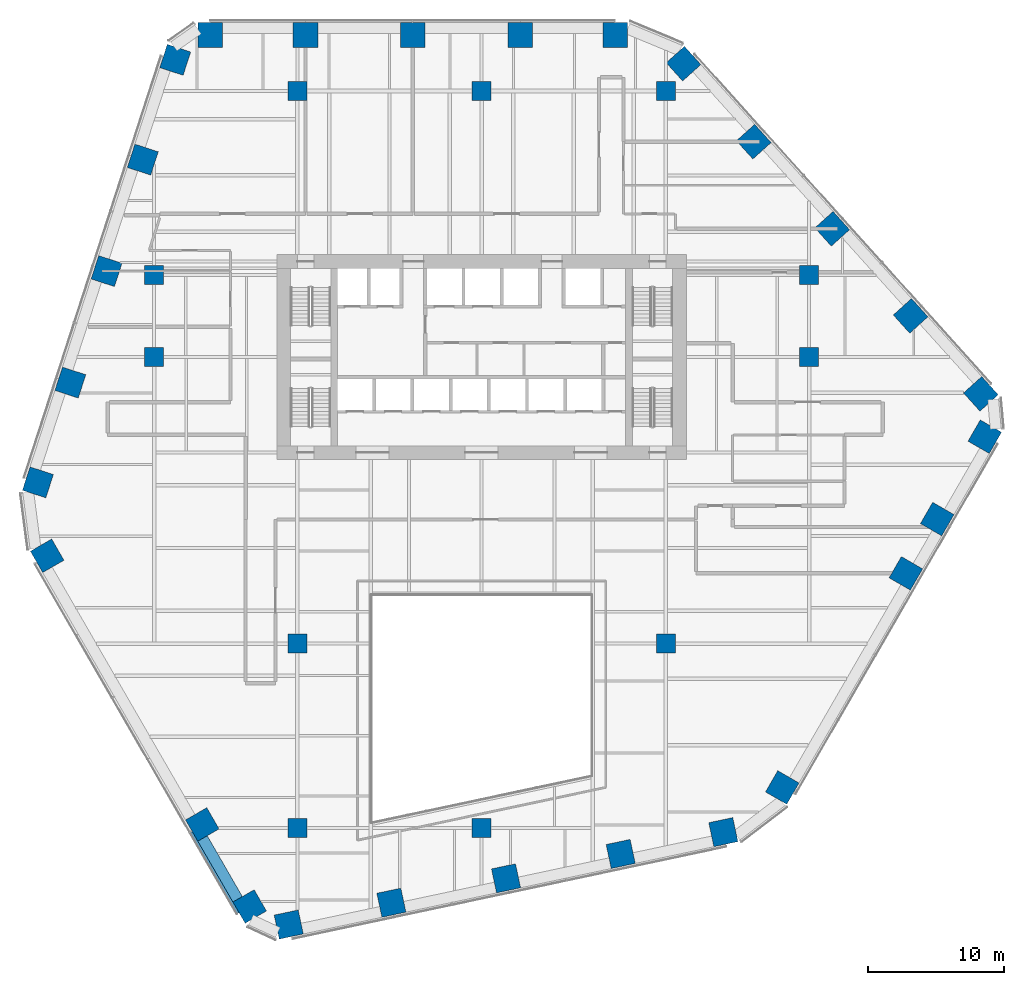
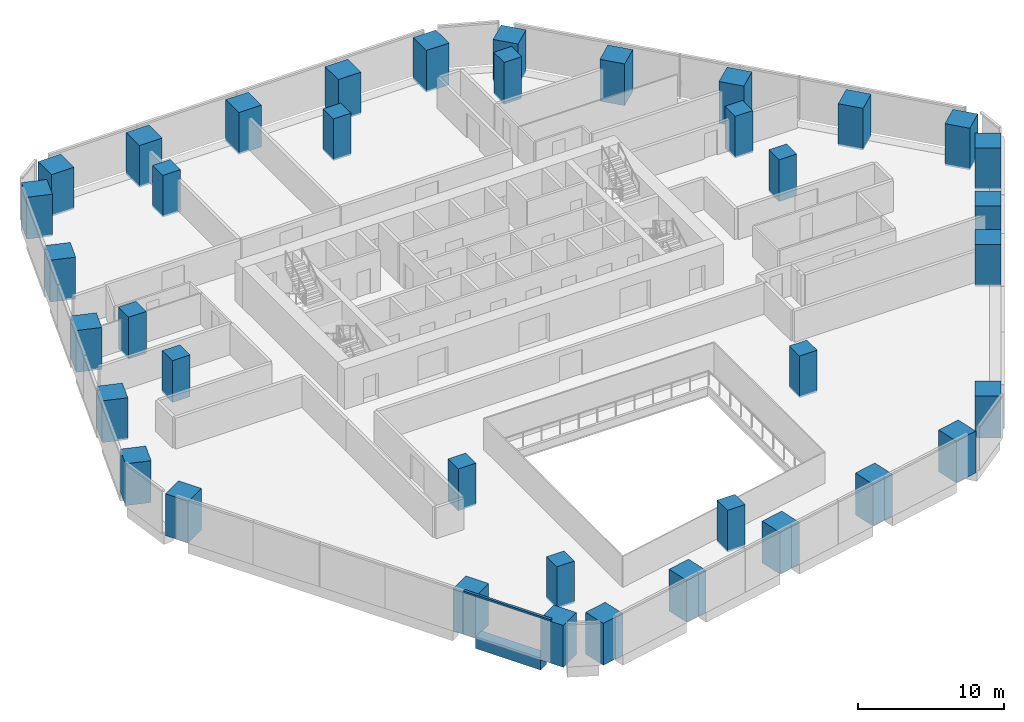
# One storey, part 1 of 20: 38 columns, 1 beam, 1 member, 1 element without a shape of its own.
"""IFC4 building model written with IfcOpenShell, lengths in metres."""

from ifc_helpers import new_model, si_unit, direction, frame, origin, origin_2d, place, context, subcontext, project, spatial, rectangle, extrude, material, layer, layer_set, material_profile, profile_set, type_object, element, aggregate, save


model = new_model("IFC4")

# Units and contexts
model_context = context("Model", 3, precision=1e-05, world=origin(), true_north=direction((0.0, 1.0)))
body_context = subcontext(model_context, "Body", "Model", "MODEL_VIEW")
ifc_project = project(units=[si_unit("LENGTHUNIT", "METRE"), si_unit("AREAUNIT", "SQUARE_METRE"), si_unit("VOLUMEUNIT", "CUBIC_METRE"), si_unit("PLANEANGLEUNIT", "RADIAN"), si_unit("MASSUNIT", "GRAM", prefix="KILO")], contexts=[model_context])

# Site, building, storey
site_placement = place(None, origin())
site = spatial("IfcSite", under=ifc_project, at=site_placement, CompositionType="ELEMENT")
building_placement = place(site_placement, origin())
building = spatial("IfcBuilding", under=site, at=building_placement, Name="Isthmus Gate Tower", CompositionType="ELEMENT")
storey_placement = place(building_placement, frame((0.0, 0.0, 72.5)))
storey = spatial("IfcBuildingStorey", under=building, at=storey_placement, Name="L16", CompositionType="ELEMENT", Elevation=72.5)

# Columns
ifc_material_1 = material(Name="Concrete f'c 70 MPa", Category="concrete")
ifc_material_profile_1 = material_profile(ifc_material_1, rectangle(XDim=1.39990234375, YDim=1.39990234375, at=origin_2d()), Name="RC 1400X1400")
ifc_profile_set_1 = profile_set([ifc_material_profile_1], Name="Concrete f'c 70 MPa")
column_type_1 = type_object("IfcColumnType", Name="RC INTERIOR COLUMN 1400 X 1400", PredefinedType="COLUMN", material=ifc_profile_set_1)
for number, where, z_axis, x_axis, name in (
    (1, (-24.0, 7.5, -0.14990234375), (0.0, 0.0, 1.0), (1.0, 0.0, 0.0), "str-icol-L16-ICA3"),
    (2, (-24.0, 13.5, -0.14990234375), (0.0, 0.0, 1.0), (1.0, 0.0, 0.0), "str-icol-L16-ICA4"),
    (3, (-13.5, -27.0, -0.14990234375), (0.0, 0.0, 1.0), (1.0, 0.0, 0.0), "str-icol-L16-ICB1"),
    (4, (-13.5, -13.5, -0.14990234375), (0.0, 0.0, 1.0), (1.0, 0.0, 0.0), "str-icol-L16-ICB2"),
    (5, (-13.5, 27.0, -0.14990234375), (0.0, 0.0, 1.0), (1.0, 0.0, 0.0), "str-icol-L16-ICB5"),
    (6, (0.0, -27.0, -0.14990234375), (0.0, 0.0, 1.0), (1.0, 0.0, 0.0), "str-icol-L16-ICC1"),
    (7, (0.0, 27.0, -0.14990234375), (0.0, 0.0, 1.0), (1.0, 0.0, 0.0), "str-icol-L16-ICC5"),
    (8, (13.5, -13.5, -0.14990234375), (0.0, 0.0, 1.0), (1.0, 0.0, 0.0), "str-icol-L16-ICD2"),
    (9, (13.5, 27.0, -0.14990234375), (0.0, 0.0, 1.0), (1.0, 0.0, 0.0), "str-icol-L16-ICD5"),
    (10, (24.0, 7.5, -0.14990234375), (0.0, 0.0, 1.0), (1.0, 0.0, 0.0), "str-icol-L16-ICE3"),
    (11, (24.0, 13.5, -0.14990234375), (0.0, 0.0, 1.0), (1.0, 0.0, 0.0), "str-icol-L16-ICE4"),
):
    element("IfcColumn", number, at=place(storey_placement, frame(where, z_axis=z_axis, x_axis=x_axis)), inside=storey, type_object=column_type_1, Name=name, PredefinedType="COLUMN", context=body_context, shape_type="SweptSolid", body=[
        extrude(rectangle(XDim=1.39990234375, YDim=1.39990234375, at=origin_2d()), origin(), (0.0, 0.0, 1.0), 3.5),
    ])
ifc_material_2 = material(Name="Concrete f'c 70 MPa", Category="concrete")
ifc_material_profile_2 = material_profile(ifc_material_2, rectangle(XDim=1.800048828125, YDim=1.800048828125, at=origin_2d()), Name="RC 1800X1800")
ifc_profile_set_2 = profile_set([ifc_material_profile_2], Name="Concrete f'c 70 MPa")
column_type_2 = type_object("IfcColumnType", Name="RC TUBE COLUMN 1800 X 1800", PredefinedType="COLUMN", material=ifc_profile_set_2)
for number, where, z_axis, x_axis, name in (
    (12, (9.8017578125, 31.10009765625, -0.14990234375), (0.0, 0.0, 1.0), (-1.0, 0.0, 0.0), "str-tcol-L16-T1N0"),
    (13, (2.832275390625, 31.10009765625, -0.14990234375), (0.0, 0.0, 1.0), (-1.0, 0.0, 0.0), "str-tcol-L16-T1N1"),
    (14, (-5.037109375, 31.10009765625, -0.14990234375), (0.0, 0.0, 1.0), (-1.0, 0.0, 0.0), "str-tcol-L16-T1N2"),
    (15, (-12.90673828125, 31.10009765625, -0.14990234375), (0.0, 0.0, 1.0), (-1.0, 0.0, 0.0), "str-tcol-L16-T1N3"),
    (16, (-19.876220703125, 31.10009765625, -0.14990234375), (0.0, 0.0, 1.0), (-1.0, 0.0, 0.0), "str-tcol-L16-T1N4"),
    (17, (-22.451171875, 29.281005859375, -0.14990234375), (0.0, 0.0, 1.0), (-0.309016994375, -0.951056516295, 0.0), "str-tcol-L16-T1NW0"),
    (18, (-24.827392578125, 21.9677734375, -0.14990234375), (0.0, 0.0, 1.0), (-0.309016994375, -0.951056516295, 0.0), "str-tcol-L16-T1NW1"),
    (19, (-27.481689453125, 13.798828125, -0.14990234375), (0.0, 0.0, 1.0), (-0.309016994375, -0.951056516295, 0.0), "str-tcol-L16-T1NW2"),
    (20, (-30.135986328125, 5.6298828125, -0.14990234375), (0.0, 0.0, 1.0), (-0.309016994375, -0.951056516295, 0.0), "str-tcol-L16-T1NW3"),
    (21, (-32.511962890625, -1.68310546875, -0.14990234375), (0.0, 0.0, 1.0), (-0.309016994375, -0.951056516295, 0.0), "str-tcol-L16-T1NW4"),
    (22, (-31.834228515625, -7.061279296875, -0.14990234375), (0.0, 0.0, 1.0), (0.5, -0.866025403784, 0.0), "str-tcol-L16-T1SW0"),
    (23, (-20.467041015625, -26.75, -0.14990234375), (0.0, 0.0, 1.0), (0.5, -0.866025403784, 0.0), "str-tcol-L16-T1SW2"),
    (24, (-16.995361328125, -32.763427734375, -0.14990234375), (0.0, 0.0, 1.0), (0.5, -0.866025403784, 0.0), "str-tcol-L16-T1SW3"),
    (25, (-14.13232421875, -34.083740234375, -0.14990234375), (0.0, 0.0, 1.0), (0.978147600734, 0.207911690818, 0.0), "str-tcol-L16-T1S0"),
    (26, (-6.611083984375, -32.485107421875, -0.14990234375), (0.0, 0.0, 1.0), (0.978147600734, 0.207911690818, 0.0), "str-tcol-L16-T1S1"),
    (27, (1.79052734375, -30.69921875, -0.14990234375), (0.0, 0.0, 1.0), (0.978147600734, 0.207911690818, 0.0), "str-tcol-L16-T1S2"),
    (28, (10.192138671875, -28.91357421875, -0.14990234375), (0.0, 0.0, 1.0), (0.978147600734, 0.207911690818, 0.0), "str-tcol-L16-T1S3"),
    (29, (17.713623046875, -27.314697265625, -0.14990234375), (0.0, 0.0, 1.0), (0.978147600734, 0.207911690818, 0.0), "str-tcol-L16-T1S4"),
    (30, (22.032470703125, -24.03857421875, -0.14990234375), (0.0, 0.0, 1.0), (0.5, 0.866025403784, 0.0), "str-tcol-L16-T1SE0"),
    (31, (31.09033203125, -8.35009765625, -0.14990234375), (0.0, 0.0, 1.0), (0.5, 0.866025403784, 0.0), "str-tcol-L16-T1SE1"),
    (32, (33.38671875, -4.37255859375, -0.14990234375), (0.0, 0.0, 1.0), (0.5, 0.866025403784, 0.0), "str-tcol-L16-T1SE2"),
    (33, (36.87158203125, 1.663330078125, -0.14990234375), (0.0, 0.0, 1.0), (0.5, 0.866025403784, 0.0), "str-tcol-L16-T1SE3"),
    (34, (36.583740234375, 4.802978515625, -0.14990234375), (0.0, 0.0, 1.0), (-0.669130606359, 0.743144825477, 0.0), "str-tcol-L16-T1NE0"),
    (35, (31.4384765625, 10.517333984375, -0.14990234375), (0.0, 0.0, 1.0), (-0.669130606359, 0.743144825477, 0.0), "str-tcol-L16-T1NE1"),
    (36, (25.691162109375, 16.900390625, -0.14990234375), (0.0, 0.0, 1.0), (-0.669130606359, 0.743144825477, 0.0), "str-tcol-L16-T1NE2"),
    (37, (19.943603515625, 23.283447265625, -0.14990234375), (0.0, 0.0, 1.0), (-0.669130606359, 0.743144825477, 0.0), "str-tcol-L16-T1NE3"),
    (38, (14.798583984375, 28.997802734375, -0.14990234375), (0.0, 0.0, 1.0), (-0.669130606359, 0.743144825477, 0.0), "str-tcol-L16-T1NE4"),
):
    element("IfcColumn", number, at=place(storey_placement, frame(where, z_axis=z_axis, x_axis=x_axis)), inside=storey, type_object=column_type_2, Name=name, PredefinedType="COLUMN", context=body_context, shape_type="SweptSolid", body=[
        extrude(rectangle(XDim=1.800048828125, YDim=1.800048828125, at=origin_2d()), origin(), (0.0, 0.0, 1.0), 3.5),
    ])

# Curtain wall, member
ifc_material_3 = material(Name="Aluminium, pale champagne anodised", Category="aluminium")
ifc_layer = layer(ifc_material_3, 0.199951171875)
ifc_layer_set = layer_set([ifc_layer], Name="CW-1 UNITISED CURTAIN WALL 200 DEEP")
curtain_wall_type = type_object("IfcCurtainWallType", Name="CW-1 UNITISED CURTAIN WALL 200 DEEP", PredefinedType="NOTDEFINED", material=ifc_layer_set)
curtain_wall_placement = place(storey_placement, origin())
curtain_wall = element("IfcCurtainWall", 39, at=curtain_wall_placement, inside=storey, type_object=curtain_wall_type, Name="CW-1 SW L16", PredefinedType="NOTDEFINED")
ifc_material_4 = material(Name="Aluminium, pale champagne anodised", Category="aluminium")
ifc_material_profile_3 = material_profile(ifc_material_4, rectangle(XDim=0.199951171875, YDim=0.14990234375, at=origin_2d()), Name="200x150")
ifc_profile_set_3 = profile_set([ifc_material_profile_3], Name="Aluminium, pale champagne anodised")
member_type = type_object("IfcMemberType", Name="CW-1 TRANSOM 200 X 150", PredefinedType="USERDEFINED", material=ifc_profile_set_3)
member_placement = place(storey_placement, frame((-21.302978515625, -27.302001953125, 3.574951171875), z_axis=(0.499980345582, -0.86603675097, 0.0), x_axis=(0.86603675097, 0.499980345582, 0.0)))
member = element("IfcMember", 40, at=member_placement, type_object=member_type, Name="CW-1 transom", ObjectType="TRANSOM", PredefinedType="USERDEFINED", context=body_context, shape_type="SweptSolid", body=[
    extrude(rectangle(XDim=0.199951171875, YDim=0.14990234375, at=origin_2d()), origin(), (0.0, 0.0, 1.0), 6.883544921875),
])
aggregate(curtain_wall, [member])

# Beam
ifc_material_5 = material(Name="Concrete f'c 70 MPa", Category="concrete")
ifc_material_profile_4 = material_profile(ifc_material_5, rectangle(XDim=0.800048828125, YDim=1.0, at=origin_2d()), Name="RC 800X1000")
ifc_profile_set_4 = profile_set([ifc_material_profile_4], Name="Concrete f'c 70 MPa")
beam_type = type_object("IfcBeamType", Name="RC SPANDREL 800 X 1000", PredefinedType="SPANDREL", material=ifc_profile_set_4)
beam_placement = place(storey_placement, frame((-17.878173828125, -32.23388671875, -0.5), z_axis=(-0.500044296292, 0.865999827798, 0.0), x_axis=(-0.865999827798, -0.500044296292, 0.0)))
element("IfcBeam", 41, at=beam_placement, inside=storey, type_object=beam_type, Name="str-spandrel-L16-15", PredefinedType="SPANDREL", context=body_context, shape_type="SweptSolid", body=[
    extrude(rectangle(XDim=0.800048828125, YDim=1.0, at=origin_2d()), origin(), (0.0, 0.0, 1.0), 5.1435546875),
])

save(model, "model.ifc")
